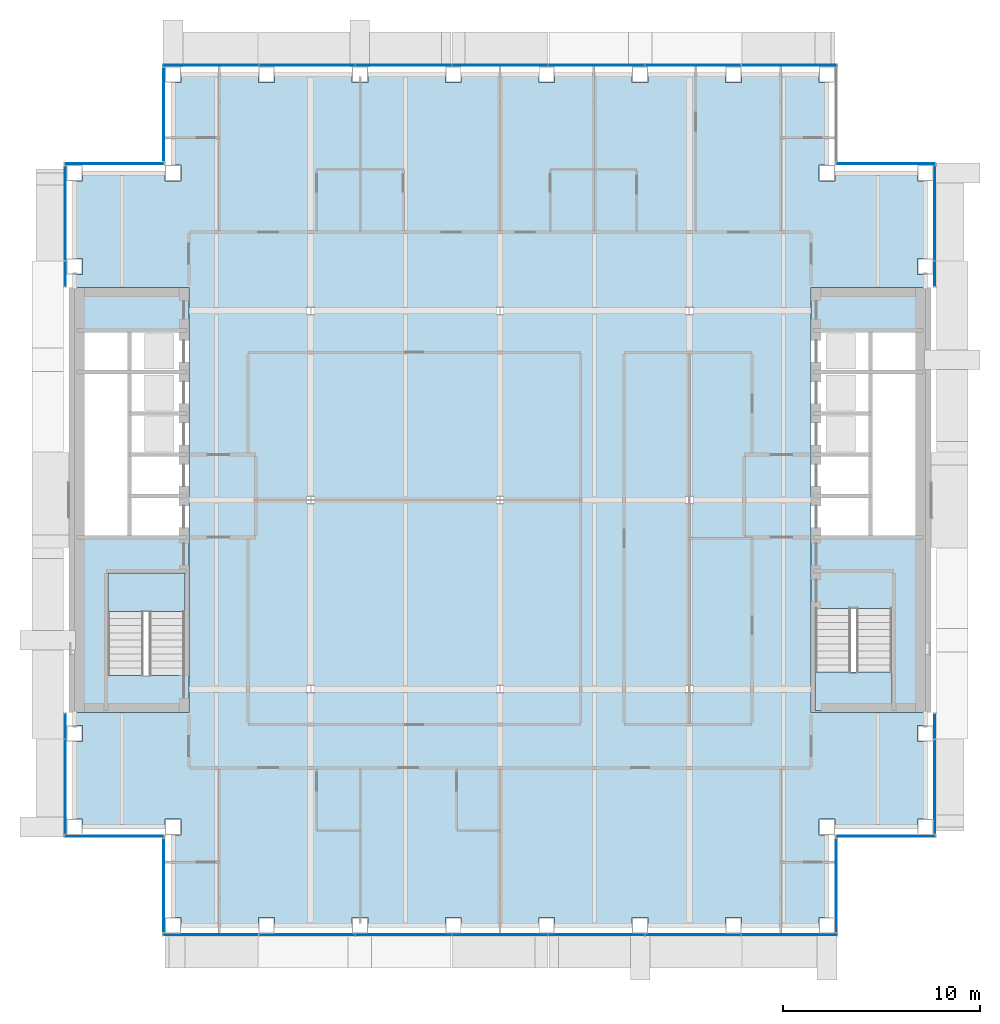
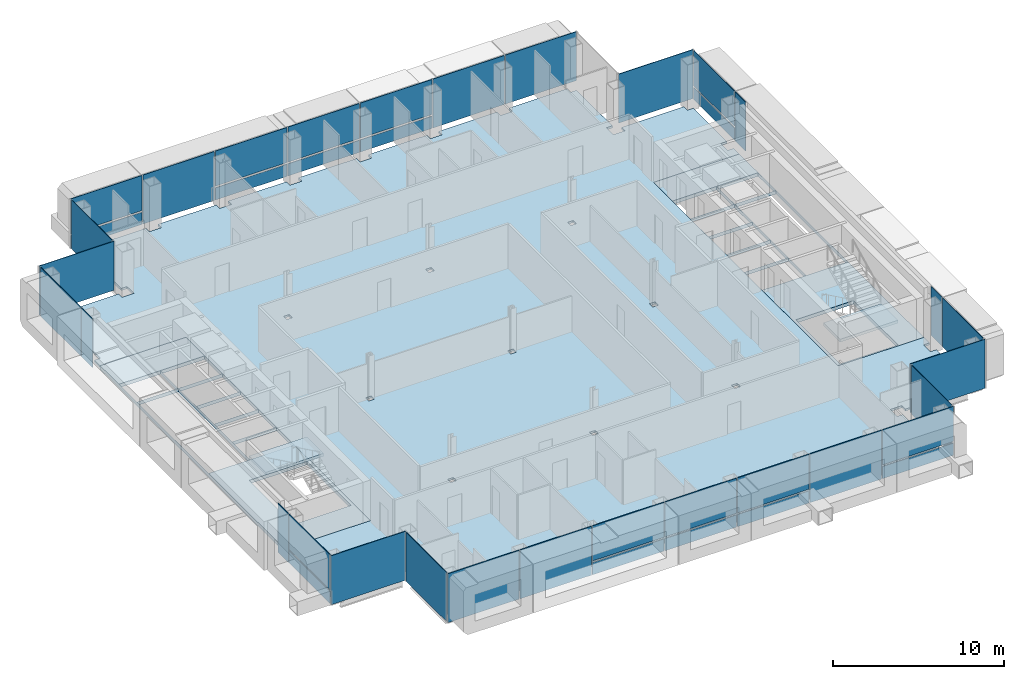
# One storey, part 11 of 21: 39 plates, 5 slabs, 15 elements without a shape of their own.
"""IFC4 building model written with IfcOpenShell, lengths in metres."""

from ifc_helpers import new_model, si_unit, direction, frame, origin, origin_2d, place, context, subcontext, project, spatial, polyline, rectangle, outline, extrude, material, layer, layer_set, type_object, element, aggregate, save


model = new_model("IFC4")

# Units and contexts
model_context = context("Model", 3, precision=1e-05, world=origin(), true_north=direction((0.0, 1.0)))
body_context = subcontext(model_context, "Body", "Model", "MODEL_VIEW")
ifc_project = project(units=[si_unit("LENGTHUNIT", "METRE"), si_unit("AREAUNIT", "SQUARE_METRE"), si_unit("VOLUMEUNIT", "CUBIC_METRE"), si_unit("PLANEANGLEUNIT", "RADIAN"), si_unit("MASSUNIT", "GRAM", prefix="KILO")], contexts=[model_context])

# Site, building, storey
site_placement = place(None, origin())
site = spatial("IfcSite", under=ifc_project, at=site_placement, CompositionType="ELEMENT")
building_placement = place(site_placement, origin())
building = spatial("IfcBuilding", under=site, at=building_placement, Name="Cobrizo Arcos Hotel Tower", CompositionType="ELEMENT")
storey_placement = place(building_placement, frame((0.0, 0.0, 183.0)))
storey = spatial("IfcBuildingStorey", under=building, at=storey_placement, Name="L47", CompositionType="ELEMENT", Elevation=183.0)

# Curtain wall, plates
ifc_material_1 = material(Name="Aluminium 6063-T6 anodised bronze", Category="aluminium")
curtain_wall_type = type_object("IfcCurtainWallType", Name="CW-A guest facade", PredefinedType="NOTDEFINED", material=ifc_material_1)
curtain_wall_1_placement = place(storey_placement, origin())
curtain_wall_1 = element("IfcCurtainWall", 1, at=curtain_wall_1_placement, inside=storey, type_object=curtain_wall_type, Name="CW-A L47 S face", PredefinedType="NOTDEFINED")
ifc_material_2 = material(Name="Aluminium composite panel pale metal", Category="aluminium")
ifc_layer_1 = layer(ifc_material_2, 0.0400390625)
ifc_layer_set_1 = layer_set([ifc_layer_1], Name="CW-A spandrel panel")
plate_type = type_object("IfcPlateType", Name="CW-A spandrel panel", PredefinedType="CURTAIN_PANEL", material=ifc_layer_set_1)
plate_1_placement = place(storey_placement, frame((-14.68505859375, -22.074951171875, 0.0), z_axis=(0.0, 0.0, 1.0), x_axis=(1.0, 0.0, 0.0)))
plate_1 = element("IfcPlate", 2, at=plate_1_placement, type_object=plate_type, Name="CW-A spandrel panel 1636", PredefinedType="CURTAIN_PANEL", context=body_context, shape_type="SweptSolid", body=[
    extrude(rectangle(XDim=4.81005859375, YDim=0.0400390625, at=origin_2d()), origin(), (0.0, 0.0, 1.0), 3.5),
])
plate_2_placement = place(storey_placement, frame((-9.800048828125, -22.074951171875, 0.0), z_axis=(0.0, 0.0, 1.0), x_axis=(1.0, 0.0, 0.0)))
plate_2 = element("IfcPlate", 3, at=plate_2_placement, type_object=plate_type, Name="CW-A spandrel panel 1637", PredefinedType="CURTAIN_PANEL", context=body_context, shape_type="SweptSolid", body=[
    extrude(rectangle(XDim=4.840087890625, YDim=0.0400390625, at=origin_2d()), origin(), (0.0, 0.0, 1.0), 3.5),
])
plate_3_placement = place(storey_placement, frame((-4.89990234375, -22.074951171875, 0.0), z_axis=(0.0, 0.0, 1.0), x_axis=(1.0, 0.0, 0.0)))
plate_3 = element("IfcPlate", 4, at=plate_3_placement, type_object=plate_type, Name="CW-A spandrel panel 1638", PredefinedType="CURTAIN_PANEL", context=body_context, shape_type="SweptSolid", body=[
    extrude(rectangle(XDim=4.840087890625, YDim=0.0400390625, at=origin_2d()), origin(), (0.0, 0.0, 1.0), 0.8701171875),
])
plate_4_placement = place(storey_placement, frame((-4.89990234375, -22.074951171875, 0.990234375), z_axis=(0.0, 0.0, 1.0), x_axis=(1.0, 0.0, 0.0)))
plate_4 = element("IfcPlate", 5, at=plate_4_placement, type_object=plate_type, Name="CW-A spandrel panel 1638", PredefinedType="CURTAIN_PANEL", context=body_context, shape_type="SweptSolid", body=[
    extrude(rectangle(XDim=4.840087890625, YDim=0.0400390625, at=origin_2d()), origin(), (0.0, 0.0, 1.0), 2.510009765625),
])
plate_5_placement = place(storey_placement, frame((0.0, -22.074951171875, 0.0), z_axis=(0.0, 0.0, 1.0), x_axis=(1.0, 0.0, 0.0)))
plate_5 = element("IfcPlate", 6, at=plate_5_placement, type_object=plate_type, Name="CW-A spandrel panel 1639", PredefinedType="CURTAIN_PANEL", context=body_context, shape_type="SweptSolid", body=[
    extrude(rectangle(XDim=4.840087890625, YDim=0.0400390625, at=origin_2d()), origin(), (0.0, 0.0, 1.0), 0.8701171875),
])
plate_6_placement = place(storey_placement, frame((0.0, -22.074951171875, 0.990234375), z_axis=(0.0, 0.0, 1.0), x_axis=(1.0, 0.0, 0.0)))
plate_6 = element("IfcPlate", 7, at=plate_6_placement, type_object=plate_type, Name="CW-A spandrel panel 1639", PredefinedType="CURTAIN_PANEL", context=body_context, shape_type="SweptSolid", body=[
    extrude(rectangle(XDim=4.840087890625, YDim=0.0400390625, at=origin_2d()), origin(), (0.0, 0.0, 1.0), 2.510009765625),
])
plate_7_placement = place(storey_placement, frame((4.89990234375, -22.074951171875, 0.0), z_axis=(0.0, 0.0, 1.0), x_axis=(1.0, 0.0, 0.0)))
plate_7 = element("IfcPlate", 8, at=plate_7_placement, type_object=plate_type, Name="CW-A spandrel panel 1640", PredefinedType="CURTAIN_PANEL", context=body_context, shape_type="SweptSolid", body=[
    extrude(rectangle(XDim=4.840087890625, YDim=0.0400390625, at=origin_2d()), origin(), (0.0, 0.0, 1.0), 0.8701171875),
])
plate_8_placement = place(storey_placement, frame((4.89990234375, -22.074951171875, 0.990234375), z_axis=(0.0, 0.0, 1.0), x_axis=(1.0, 0.0, 0.0)))
plate_8 = element("IfcPlate", 9, at=plate_8_placement, type_object=plate_type, Name="CW-A spandrel panel 1640", PredefinedType="CURTAIN_PANEL", context=body_context, shape_type="SweptSolid", body=[
    extrude(rectangle(XDim=4.840087890625, YDim=0.0400390625, at=origin_2d()), origin(), (0.0, 0.0, 1.0), 2.510009765625),
])
plate_9_placement = place(storey_placement, frame((9.800048828125, -22.074951171875, 0.0), z_axis=(0.0, 0.0, 1.0), x_axis=(1.0, 0.0, 0.0)))
plate_9 = element("IfcPlate", 10, at=plate_9_placement, type_object=plate_type, Name="CW-A spandrel panel 1641", PredefinedType="CURTAIN_PANEL", context=body_context, shape_type="SweptSolid", body=[
    extrude(rectangle(XDim=4.840087890625, YDim=0.0400390625, at=origin_2d()), origin(), (0.0, 0.0, 1.0), 3.5),
])
plate_10_placement = place(storey_placement, frame((14.68505859375, -22.074951171875, 0.0), z_axis=(0.0, 0.0, 1.0), x_axis=(1.0, 0.0, 0.0)))
plate_10 = element("IfcPlate", 11, at=plate_10_placement, type_object=plate_type, Name="CW-A spandrel panel 1642", PredefinedType="CURTAIN_PANEL", context=body_context, shape_type="SweptSolid", body=[
    extrude(rectangle(XDim=4.81005859375, YDim=0.0400390625, at=origin_2d()), origin(), (0.0, 0.0, 1.0), 0.8701171875),
])
plate_11_placement = place(storey_placement, frame((14.68505859375, -22.074951171875, 0.990234375), z_axis=(0.0, 0.0, 1.0), x_axis=(1.0, 0.0, 0.0)))
plate_11 = element("IfcPlate", 12, at=plate_11_placement, type_object=plate_type, Name="CW-A spandrel panel 1642", PredefinedType="CURTAIN_PANEL", context=body_context, shape_type="SweptSolid", body=[
    extrude(rectangle(XDim=4.81005859375, YDim=0.0400390625, at=origin_2d()), origin(), (0.0, 0.0, 1.0), 2.510009765625),
])
aggregate(curtain_wall_1, [plate_1, plate_2, plate_3, plate_4, plate_5, plate_6, plate_7, plate_8, plate_9, plate_10, plate_11])

# Curtain wall, plate
curtain_wall_2_placement = place(storey_placement, origin())
curtain_wall_2 = element("IfcCurtainWall", 13, at=curtain_wall_2_placement, inside=storey, type_object=curtain_wall_type, Name="CW-A L47 E face", PredefinedType="NOTDEFINED")
plate_12_placement = place(storey_placement, frame((17.074951171875, -19.574951171875, 0.0), z_axis=(0.0, 0.0, 1.0), x_axis=(0.0, 1.0, 0.0)))
plate_12 = element("IfcPlate", 14, at=plate_12_placement, type_object=plate_type, Name="CW-A spandrel panel 1643", PredefinedType="CURTAIN_PANEL", context=body_context, shape_type="SweptSolid", body=[
    extrude(rectangle(XDim=4.72998046875, YDim=0.0400390625, at=origin_2d()), origin(), (0.0, 0.0, 1.0), 3.5),
])
aggregate(curtain_wall_2, [plate_12])

curtain_wall_3_placement = place(storey_placement, origin())
curtain_wall_3 = element("IfcCurtainWall", 15, at=curtain_wall_3_placement, inside=storey, type_object=curtain_wall_type, Name="CW-A L47 S face", PredefinedType="NOTDEFINED")
plate_13_placement = place(storey_placement, frame((19.574951171875, -17.074951171875, 0.0), z_axis=(0.0, 0.0, 1.0), x_axis=(1.0, 0.0, 0.0)))
plate_13 = element("IfcPlate", 16, at=plate_13_placement, type_object=plate_type, Name="CW-A spandrel panel 1644", PredefinedType="CURTAIN_PANEL", context=body_context, shape_type="SweptSolid", body=[
    extrude(rectangle(XDim=5.030029296875, YDim=0.0400390625, at=origin_2d()), origin(), (0.0, 0.0, 1.0), 3.5),
])
aggregate(curtain_wall_3, [plate_13])

# Curtain wall, plates
curtain_wall_4_placement = place(storey_placement, origin())
curtain_wall_4 = element("IfcCurtainWall", 17, at=curtain_wall_4_placement, inside=storey, type_object=curtain_wall_type, Name="CW-A L47 E face", PredefinedType="NOTDEFINED")
plate_14_placement = place(storey_placement, frame((22.074951171875, -14.556396484375, 0.0), z_axis=(0.0, 0.0, 1.0), x_axis=(0.0, 1.0, 0.0)))
plate_14 = element("IfcPlate", 18, at=plate_14_placement, type_object=plate_type, Name="CW-A spandrel panel 1645", PredefinedType="CURTAIN_PANEL", context=body_context, shape_type="SweptSolid", body=[
    extrude(rectangle(XDim=4.76708984375, YDim=0.0400390625, at=origin_2d()), origin(), (0.0, 0.0, 1.0), 3.5),
])
plate_15_placement = place(storey_placement, frame((22.074951171875, -11.486328125, 0.0), z_axis=(0.0, 0.0, 1.0), x_axis=(0.0, 1.0, 0.0)))
plate_15 = element("IfcPlate", 19, at=plate_15_placement, type_object=plate_type, Name="CW-A spandrel panel 1646", PredefinedType="CURTAIN_PANEL", context=body_context, shape_type="SweptSolid", body=[
    extrude(rectangle(XDim=1.2529296875, YDim=0.0400390625, at=origin_2d()), origin(), (0.0, 0.0, 1.0), 3.5),
])
aggregate(curtain_wall_4, [plate_14, plate_15])

curtain_wall_5_placement = place(storey_placement, origin())
curtain_wall_5 = element("IfcCurtainWall", 20, at=curtain_wall_5_placement, inside=storey, type_object=curtain_wall_type, Name="CW-A L47 E face", PredefinedType="NOTDEFINED")
plate_16_placement = place(storey_placement, frame((22.074951171875, 11.486328125, 0.0), z_axis=(0.0, 0.0, 1.0), x_axis=(0.0, 1.0, 0.0)))
plate_16 = element("IfcPlate", 21, at=plate_16_placement, type_object=plate_type, Name="CW-A spandrel panel 1647", PredefinedType="CURTAIN_PANEL", context=body_context, shape_type="SweptSolid", body=[
    extrude(rectangle(XDim=1.2529296875, YDim=0.0400390625, at=origin_2d()), origin(), (0.0, 0.0, 1.0), 3.5),
])
plate_17_placement = place(storey_placement, frame((22.074951171875, 14.556396484375, 0.0), z_axis=(0.0, 0.0, 1.0), x_axis=(0.0, 1.0, 0.0)))
plate_17 = element("IfcPlate", 22, at=plate_17_placement, type_object=plate_type, Name="CW-A spandrel panel 1648", PredefinedType="CURTAIN_PANEL", context=body_context, shape_type="SweptSolid", body=[
    extrude(rectangle(XDim=4.76708984375, YDim=0.0400390625, at=origin_2d()), origin(), (0.0, 0.0, 1.0), 0.8701171875),
])
plate_18_placement = place(storey_placement, frame((22.074951171875, 14.556396484375, 0.990234375), z_axis=(0.0, 0.0, 1.0), x_axis=(0.0, 1.0, 0.0)))
plate_18 = element("IfcPlate", 23, at=plate_18_placement, type_object=plate_type, Name="CW-A spandrel panel 1648", PredefinedType="CURTAIN_PANEL", context=body_context, shape_type="SweptSolid", body=[
    extrude(rectangle(XDim=4.76708984375, YDim=0.0400390625, at=origin_2d()), origin(), (0.0, 0.0, 1.0), 2.510009765625),
])
aggregate(curtain_wall_5, [plate_16, plate_17, plate_18])

# Curtain wall, plate
curtain_wall_6_placement = place(storey_placement, origin())
curtain_wall_6 = element("IfcCurtainWall", 24, at=curtain_wall_6_placement, inside=storey, type_object=curtain_wall_type, Name="CW-A L47 N face", PredefinedType="NOTDEFINED")
plate_19_placement = place(storey_placement, frame((19.574951171875, 17.074951171875, 0.0), z_axis=(0.0, 0.0, 1.0), x_axis=(-1.0, 0.0, 0.0)))
plate_19 = element("IfcPlate", 25, at=plate_19_placement, type_object=plate_type, Name="CW-A spandrel panel 1649", PredefinedType="CURTAIN_PANEL", context=body_context, shape_type="SweptSolid", body=[
    extrude(rectangle(XDim=5.030029296875, YDim=0.0400390625, at=origin_2d()), origin(), (0.0, 0.0, 1.0), 3.5),
])
aggregate(curtain_wall_6, [plate_19])

# Curtain wall, plates
curtain_wall_7_placement = place(storey_placement, origin())
curtain_wall_7 = element("IfcCurtainWall", 26, at=curtain_wall_7_placement, inside=storey, type_object=curtain_wall_type, Name="CW-A L47 N face", PredefinedType="NOTDEFINED")
plate_20_placement = place(storey_placement, frame((14.68505859375, 22.074951171875, 0.0), z_axis=(0.0, 0.0, 1.0), x_axis=(-1.0, 0.0, 0.0)))
plate_20 = element("IfcPlate", 27, at=plate_20_placement, type_object=plate_type, Name="CW-A spandrel panel 1651", PredefinedType="CURTAIN_PANEL", context=body_context, shape_type="SweptSolid", body=[
    extrude(rectangle(XDim=4.81005859375, YDim=0.0400390625, at=origin_2d()), origin(), (0.0, 0.0, 1.0), 3.5),
])
plate_21_placement = place(storey_placement, frame((9.800048828125, 22.074951171875, 0.0), z_axis=(0.0, 0.0, 1.0), x_axis=(-1.0, 0.0, 0.0)))
plate_21 = element("IfcPlate", 28, at=plate_21_placement, type_object=plate_type, Name="CW-A spandrel panel 1652", PredefinedType="CURTAIN_PANEL", context=body_context, shape_type="SweptSolid", body=[
    extrude(rectangle(XDim=4.840087890625, YDim=0.0400390625, at=origin_2d()), origin(), (0.0, 0.0, 1.0), 3.5),
])
plate_22_placement = place(storey_placement, frame((4.89990234375, 22.074951171875, 0.0), z_axis=(0.0, 0.0, 1.0), x_axis=(-1.0, 0.0, 0.0)))
plate_22 = element("IfcPlate", 29, at=plate_22_placement, type_object=plate_type, Name="CW-A spandrel panel 1653", PredefinedType="CURTAIN_PANEL", context=body_context, shape_type="SweptSolid", body=[
    extrude(rectangle(XDim=4.840087890625, YDim=0.0400390625, at=origin_2d()), origin(), (0.0, 0.0, 1.0), 0.8701171875),
])
plate_23_placement = place(storey_placement, frame((4.89990234375, 22.074951171875, 0.990234375), z_axis=(0.0, 0.0, 1.0), x_axis=(-1.0, 0.0, 0.0)))
plate_23 = element("IfcPlate", 30, at=plate_23_placement, type_object=plate_type, Name="CW-A spandrel panel 1653", PredefinedType="CURTAIN_PANEL", context=body_context, shape_type="SweptSolid", body=[
    extrude(rectangle(XDim=4.840087890625, YDim=0.0400390625, at=origin_2d()), origin(), (0.0, 0.0, 1.0), 2.510009765625),
])
plate_24_placement = place(storey_placement, frame((0.0, 22.074951171875, 0.0), z_axis=(0.0, 0.0, 1.0), x_axis=(-1.0, 0.0, 0.0)))
plate_24 = element("IfcPlate", 31, at=plate_24_placement, type_object=plate_type, Name="CW-A spandrel panel 1654", PredefinedType="CURTAIN_PANEL", context=body_context, shape_type="SweptSolid", body=[
    extrude(rectangle(XDim=4.840087890625, YDim=0.0400390625, at=origin_2d()), origin(), (0.0, 0.0, 1.0), 0.8701171875),
])
plate_25_placement = place(storey_placement, frame((0.0, 22.074951171875, 0.990234375), z_axis=(0.0, 0.0, 1.0), x_axis=(-1.0, 0.0, 0.0)))
plate_25 = element("IfcPlate", 32, at=plate_25_placement, type_object=plate_type, Name="CW-A spandrel panel 1654", PredefinedType="CURTAIN_PANEL", context=body_context, shape_type="SweptSolid", body=[
    extrude(rectangle(XDim=4.840087890625, YDim=0.0400390625, at=origin_2d()), origin(), (0.0, 0.0, 1.0), 2.510009765625),
])
plate_26_placement = place(storey_placement, frame((-4.89990234375, 22.074951171875, 0.0), z_axis=(0.0, 0.0, 1.0), x_axis=(-1.0, 0.0, 0.0)))
plate_26 = element("IfcPlate", 33, at=plate_26_placement, type_object=plate_type, Name="CW-A spandrel panel 1655", PredefinedType="CURTAIN_PANEL", context=body_context, shape_type="SweptSolid", body=[
    extrude(rectangle(XDim=4.840087890625, YDim=0.0400390625, at=origin_2d()), origin(), (0.0, 0.0, 1.0), 0.8701171875),
])
plate_27_placement = place(storey_placement, frame((-4.89990234375, 22.074951171875, 0.990234375), z_axis=(0.0, 0.0, 1.0), x_axis=(-1.0, 0.0, 0.0)))
plate_27 = element("IfcPlate", 34, at=plate_27_placement, type_object=plate_type, Name="CW-A spandrel panel 1655", PredefinedType="CURTAIN_PANEL", context=body_context, shape_type="SweptSolid", body=[
    extrude(rectangle(XDim=4.840087890625, YDim=0.0400390625, at=origin_2d()), origin(), (0.0, 0.0, 1.0), 2.510009765625),
])
plate_28_placement = place(storey_placement, frame((-9.800048828125, 22.074951171875, 0.0), z_axis=(0.0, 0.0, 1.0), x_axis=(-1.0, 0.0, 0.0)))
plate_28 = element("IfcPlate", 35, at=plate_28_placement, type_object=plate_type, Name="CW-A spandrel panel 1656", PredefinedType="CURTAIN_PANEL", context=body_context, shape_type="SweptSolid", body=[
    extrude(rectangle(XDim=4.840087890625, YDim=0.0400390625, at=origin_2d()), origin(), (0.0, 0.0, 1.0), 3.5),
])
plate_29_placement = place(storey_placement, frame((-14.68505859375, 22.074951171875, 0.0), z_axis=(0.0, 0.0, 1.0), x_axis=(-1.0, 0.0, 0.0)))
plate_29 = element("IfcPlate", 36, at=plate_29_placement, type_object=plate_type, Name="CW-A spandrel panel 1657", PredefinedType="CURTAIN_PANEL", context=body_context, shape_type="SweptSolid", body=[
    extrude(rectangle(XDim=4.81005859375, YDim=0.0400390625, at=origin_2d()), origin(), (0.0, 0.0, 1.0), 0.8701171875),
])
plate_30_placement = place(storey_placement, frame((-14.68505859375, 22.074951171875, 0.990234375), z_axis=(0.0, 0.0, 1.0), x_axis=(-1.0, 0.0, 0.0)))
plate_30 = element("IfcPlate", 37, at=plate_30_placement, type_object=plate_type, Name="CW-A spandrel panel 1657", PredefinedType="CURTAIN_PANEL", context=body_context, shape_type="SweptSolid", body=[
    extrude(rectangle(XDim=4.81005859375, YDim=0.0400390625, at=origin_2d()), origin(), (0.0, 0.0, 1.0), 2.510009765625),
])
aggregate(curtain_wall_7, [plate_20, plate_21, plate_22, plate_23, plate_24, plate_25, plate_26, plate_27, plate_28, plate_29, plate_30])

# Curtain wall, plate
curtain_wall_8_placement = place(storey_placement, origin())
curtain_wall_8 = element("IfcCurtainWall", 38, at=curtain_wall_8_placement, inside=storey, type_object=curtain_wall_type, Name="CW-A L47 W face", PredefinedType="NOTDEFINED")
plate_31_placement = place(storey_placement, frame((-17.074951171875, 19.574951171875, 0.0), z_axis=(0.0, 0.0, 1.0), x_axis=(0.0, -1.0, 0.0)))
plate_31 = element("IfcPlate", 39, at=plate_31_placement, type_object=plate_type, Name="CW-A spandrel panel 1658", PredefinedType="CURTAIN_PANEL", context=body_context, shape_type="SweptSolid", body=[
    extrude(rectangle(XDim=4.72998046875, YDim=0.0400390625, at=origin_2d()), origin(), (0.0, 0.0, 1.0), 3.5),
])
aggregate(curtain_wall_8, [plate_31])

curtain_wall_9_placement = place(storey_placement, origin())
curtain_wall_9 = element("IfcCurtainWall", 40, at=curtain_wall_9_placement, inside=storey, type_object=curtain_wall_type, Name="CW-A L47 N face", PredefinedType="NOTDEFINED")
plate_32_placement = place(storey_placement, frame((-19.574951171875, 17.074951171875, 0.0), z_axis=(0.0, 0.0, 1.0), x_axis=(-1.0, 0.0, 0.0)))
plate_32 = element("IfcPlate", 41, at=plate_32_placement, type_object=plate_type, Name="CW-A spandrel panel 1659", PredefinedType="CURTAIN_PANEL", context=body_context, shape_type="SweptSolid", body=[
    extrude(rectangle(XDim=5.030029296875, YDim=0.0400390625, at=origin_2d()), origin(), (0.0, 0.0, 1.0), 3.5),
])
aggregate(curtain_wall_9, [plate_32])

# Curtain wall, plates
curtain_wall_10_placement = place(storey_placement, origin())
curtain_wall_10 = element("IfcCurtainWall", 42, at=curtain_wall_10_placement, inside=storey, type_object=curtain_wall_type, Name="CW-A L47 W face", PredefinedType="NOTDEFINED")
plate_33_placement = place(storey_placement, frame((-22.074951171875, 14.556396484375, 0.0), z_axis=(0.0, 0.0, 1.0), x_axis=(0.0, -1.0, 0.0)))
plate_33 = element("IfcPlate", 43, at=plate_33_placement, type_object=plate_type, Name="CW-A spandrel panel 1660", PredefinedType="CURTAIN_PANEL", context=body_context, shape_type="SweptSolid", body=[
    extrude(rectangle(XDim=4.76708984375, YDim=0.0400390625, at=origin_2d()), origin(), (0.0, 0.0, 1.0), 3.5),
])
plate_34_placement = place(storey_placement, frame((-22.074951171875, 11.486328125, 0.0), z_axis=(0.0, 0.0, 1.0), x_axis=(0.0, -1.0, 0.0)))
plate_34 = element("IfcPlate", 44, at=plate_34_placement, type_object=plate_type, Name="CW-A spandrel panel 1661", PredefinedType="CURTAIN_PANEL", context=body_context, shape_type="SweptSolid", body=[
    extrude(rectangle(XDim=1.2529296875, YDim=0.0400390625, at=origin_2d()), origin(), (0.0, 0.0, 1.0), 3.5),
])
aggregate(curtain_wall_10, [plate_33, plate_34])

curtain_wall_11_placement = place(storey_placement, origin())
curtain_wall_11 = element("IfcCurtainWall", 45, at=curtain_wall_11_placement, inside=storey, type_object=curtain_wall_type, Name="CW-A L47 W face", PredefinedType="NOTDEFINED")
plate_35_placement = place(storey_placement, frame((-22.074951171875, -11.486328125, 0.0), z_axis=(0.0, 0.0, 1.0), x_axis=(0.0, -1.0, 0.0)))
plate_35 = element("IfcPlate", 46, at=plate_35_placement, type_object=plate_type, Name="CW-A spandrel panel 1662", PredefinedType="CURTAIN_PANEL", context=body_context, shape_type="SweptSolid", body=[
    extrude(rectangle(XDim=1.2529296875, YDim=0.0400390625, at=origin_2d()), origin(), (0.0, 0.0, 1.0), 3.5),
])
plate_36_placement = place(storey_placement, frame((-22.074951171875, -14.556396484375, 0.0), z_axis=(0.0, 0.0, 1.0), x_axis=(0.0, -1.0, 0.0)))
plate_36 = element("IfcPlate", 47, at=plate_36_placement, type_object=plate_type, Name="CW-A spandrel panel 1663", PredefinedType="CURTAIN_PANEL", context=body_context, shape_type="SweptSolid", body=[
    extrude(rectangle(XDim=4.76708984375, YDim=0.0400390625, at=origin_2d()), origin(), (0.0, 0.0, 1.0), 0.8701171875),
])
plate_37_placement = place(storey_placement, frame((-22.074951171875, -14.556396484375, 0.990234375), z_axis=(0.0, 0.0, 1.0), x_axis=(0.0, -1.0, 0.0)))
plate_37 = element("IfcPlate", 48, at=plate_37_placement, type_object=plate_type, Name="CW-A spandrel panel 1663", PredefinedType="CURTAIN_PANEL", context=body_context, shape_type="SweptSolid", body=[
    extrude(rectangle(XDim=4.76708984375, YDim=0.0400390625, at=origin_2d()), origin(), (0.0, 0.0, 1.0), 2.510009765625),
])
aggregate(curtain_wall_11, [plate_35, plate_36, plate_37])

# Curtain wall, plate
curtain_wall_12_placement = place(storey_placement, origin())
curtain_wall_12 = element("IfcCurtainWall", 49, at=curtain_wall_12_placement, inside=storey, type_object=curtain_wall_type, Name="CW-A L47 S face", PredefinedType="NOTDEFINED")
plate_38_placement = place(storey_placement, frame((-19.574951171875, -17.074951171875, 0.0), z_axis=(0.0, 0.0, 1.0), x_axis=(1.0, 0.0, 0.0)))
plate_38 = element("IfcPlate", 50, at=plate_38_placement, type_object=plate_type, Name="CW-A spandrel panel 1664", PredefinedType="CURTAIN_PANEL", context=body_context, shape_type="SweptSolid", body=[
    extrude(rectangle(XDim=5.030029296875, YDim=0.0400390625, at=origin_2d()), origin(), (0.0, 0.0, 1.0), 3.5),
])
aggregate(curtain_wall_12, [plate_38])

curtain_wall_13_placement = place(storey_placement, origin())
curtain_wall_13 = element("IfcCurtainWall", 51, at=curtain_wall_13_placement, inside=storey, type_object=curtain_wall_type, Name="CW-A L47 W face", PredefinedType="NOTDEFINED")
plate_39_placement = place(storey_placement, frame((-17.074951171875, -19.574951171875, 0.0), z_axis=(0.0, 0.0, 1.0), x_axis=(0.0, -1.0, 0.0)))
plate_39 = element("IfcPlate", 52, at=plate_39_placement, type_object=plate_type, Name="CW-A spandrel panel 1665", PredefinedType="CURTAIN_PANEL", context=body_context, shape_type="SweptSolid", body=[
    extrude(rectangle(XDim=4.72998046875, YDim=0.0400390625, at=origin_2d()), origin(), (0.0, 0.0, 1.0), 3.5),
])
aggregate(curtain_wall_13, [plate_39])

# Slabs
ifc_material_3 = material(Name="Concrete f'c 35 MPa", Category="concrete")
ifc_layer_2 = layer(ifc_material_3, 0.14990234375)
ifc_layer_set_2 = layer_set([ifc_layer_2], Name="Composite floor slab 150 f'c 35")
slab_type_1 = type_object("IfcSlabType", Name="Composite floor slab 150 f'c 35", PredefinedType="FLOOR", material=ifc_layer_set_2)
slab_1_placement = place(storey_placement, frame((0.0, 0.0, -0.14990234375)))
element("IfcSlab", 53, at=slab_1_placement, inside=storey, type_object=slab_type_1, Name="Floor slab S5, L47, no. 01", PredefinedType="FLOOR", context=body_context, shape_type="SweptSolid", body=[
    extrude(outline(polyline([(-16.199951171875, -21.60009765625), (-16.199951171875, -21.199951171875), (-16.60009765625, -21.199951171875), (-16.60009765625, -17.0), (-16.199951171875, -17.0), (-16.199951171875, -16.199951171875), (-17.0, -16.199951171875), (-17.0, -16.60009765625), (-21.199951171875, -16.60009765625), (-21.199951171875, -16.199951171875), (-21.60009765625, -16.199951171875), (-21.60009765625, -12.257080078125), (-21.199951171875, -12.257080078125), (-21.199951171875, -11.45703125), (-21.60009765625, -11.45703125), (-21.60009765625, -10.800048828125), (-15.800048828125, -10.800048828125), (-15.800048828125, 10.800048828125), (-21.60009765625, 10.800048828125), (-21.60009765625, 11.45703125), (-21.199951171875, 11.45703125), (-21.199951171875, 12.257080078125), (-21.60009765625, 12.257080078125), (-21.60009765625, 16.199951171875), (-21.199951171875, 16.199951171875), (-21.199951171875, 16.60009765625), (-17.0, 16.60009765625), (-17.0, 16.199951171875), (-16.199951171875, 16.199951171875), (-16.199951171875, 17.0), (-16.60009765625, 17.0), (-16.60009765625, 21.199951171875), (-16.199951171875, 21.199951171875), (-16.199951171875, 21.60009765625), (-12.257080078125, 21.60009765625), (-12.257080078125, 21.199951171875), (-11.45703125, 21.199951171875), (-11.45703125, 21.60009765625), (-7.513916015625, 21.60009765625), (-7.513916015625, 21.199951171875), (-6.714111328125, 21.199951171875), (-6.714111328125, 21.60009765625), (-2.77099609375, 21.60009765625), (-2.77099609375, 21.199951171875), (-1.970947265625, 21.199951171875), (-1.970947265625, 21.60009765625), (1.970947265625, 21.60009765625), (1.970947265625, 21.199951171875), (2.77099609375, 21.199951171875), (2.77099609375, 21.60009765625), (6.714111328125, 21.60009765625), (6.714111328125, 21.199951171875), (7.513916015625, 21.199951171875), (7.513916015625, 21.60009765625), (11.45703125, 21.60009765625), (11.45703125, 21.199951171875), (12.257080078125, 21.199951171875), (12.257080078125, 21.60009765625), (16.199951171875, 21.60009765625), (16.199951171875, 21.199951171875), (16.60009765625, 21.199951171875), (16.60009765625, 17.0), (16.199951171875, 17.0), (16.199951171875, 16.199951171875), (17.0, 16.199951171875), (17.0, 16.60009765625), (21.199951171875, 16.60009765625), (21.199951171875, 16.199951171875), (21.60009765625, 16.199951171875), (21.60009765625, 12.257080078125), (21.199951171875, 12.257080078125), (21.199951171875, 11.45703125), (21.60009765625, 11.45703125), (21.60009765625, 10.800048828125), (15.800048828125, 10.800048828125), (15.800048828125, -10.800048828125), (21.60009765625, -10.800048828125), (21.60009765625, -11.45703125), (21.199951171875, -11.45703125), (21.199951171875, -12.257080078125), (21.60009765625, -12.257080078125), (21.60009765625, -16.199951171875), (21.199951171875, -16.199951171875), (21.199951171875, -16.60009765625), (17.0, -16.60009765625), (17.0, -16.199951171875), (16.199951171875, -16.199951171875), (16.199951171875, -17.0), (16.60009765625, -17.0), (16.60009765625, -21.199951171875), (16.199951171875, -21.199951171875), (16.199951171875, -21.60009765625), (12.257080078125, -21.60009765625), (12.257080078125, -21.199951171875), (11.45703125, -21.199951171875), (11.45703125, -21.60009765625), (7.513916015625, -21.60009765625), (7.513916015625, -21.199951171875), (6.714111328125, -21.199951171875), (6.714111328125, -21.60009765625), (2.77099609375, -21.60009765625), (2.77099609375, -21.199951171875), (1.970947265625, -21.199951171875), (1.970947265625, -21.60009765625), (-1.970947265625, -21.60009765625), (-1.970947265625, -21.199951171875), (-2.77099609375, -21.199951171875), (-2.77099609375, -21.60009765625), (-6.714111328125, -21.60009765625), (-6.714111328125, -21.199951171875), (-7.513916015625, -21.199951171875), (-7.513916015625, -21.60009765625), (-11.45703125, -21.60009765625), (-11.45703125, -21.199951171875), (-12.257080078125, -21.199951171875), (-12.257080078125, -21.60009765625), (-16.199951171875, -21.60009765625)]), holes=[polyline([(-0.186767578125, -9.78662109375), (0.186767578125, -9.78662109375), (0.186767578125, -9.413330078125), (-0.186767578125, -9.413330078125), (-0.186767578125, -9.78662109375)]), polyline([(-9.78662109375, -9.78662109375), (-9.413330078125, -9.78662109375), (-9.413330078125, -9.413330078125), (-9.78662109375, -9.413330078125), (-9.78662109375, -9.78662109375)]), polyline([(-9.413330078125, -0.186767578125), (-9.413330078125, 0.186767578125), (-9.78662109375, 0.186767578125), (-9.78662109375, -0.186767578125), (-9.413330078125, -0.186767578125)]), polyline([(0.186767578125, -0.186767578125), (0.186767578125, 0.186767578125), (-0.186767578125, 0.186767578125), (-0.186767578125, -0.186767578125), (0.186767578125, -0.186767578125)]), polyline([(-9.78662109375, 9.413330078125), (-9.413330078125, 9.413330078125), (-9.413330078125, 9.78662109375), (-9.78662109375, 9.78662109375), (-9.78662109375, 9.413330078125)]), polyline([(9.413330078125, -9.78662109375), (9.78662109375, -9.78662109375), (9.78662109375, -9.413330078125), (9.413330078125, -9.413330078125), (9.413330078125, -9.78662109375)]), polyline([(9.413330078125, -0.186767578125), (9.78662109375, -0.186767578125), (9.78662109375, 0.186767578125), (9.413330078125, 0.186767578125), (9.413330078125, -0.186767578125)]), polyline([(9.78662109375, 9.413330078125), (9.78662109375, 9.78662109375), (9.413330078125, 9.78662109375), (9.413330078125, 9.413330078125), (9.78662109375, 9.413330078125)]), polyline([(0.186767578125, 9.413330078125), (0.186767578125, 9.78662109375), (-0.186767578125, 9.78662109375), (-0.186767578125, 9.413330078125), (0.186767578125, 9.413330078125)])]), origin(), (0.0, 0.0, 1.0), 0.14990234375),
])
ifc_material_4 = material(Name="Concrete f'c 50 MPa", Category="concrete")
ifc_layer_3 = layer(ifc_material_4, 0.25)
ifc_layer_set_3 = layer_set([ifc_layer_3], Name="RC core floor slab 250 f'c 50")
slab_type_2 = type_object("IfcSlabType", Name="RC core floor slab 250 f'c 50", PredefinedType="FLOOR", material=ifc_layer_set_3)
slab_2_placement = place(storey_placement, frame((0.0, 0.0, -0.25)))
element("IfcSlab", 54, at=slab_2_placement, inside=storey, type_object=slab_type_2, Name="Core floor slab CS5, east core, L47", PredefinedType="FLOOR", context=body_context, shape_type="SweptSolid", body=[
    extrude(outline(polyline([(15.800048828125, 10.800048828125), (21.60009765625, 10.800048828125), (21.60009765625, -10.800048828125), (15.800048828125, -10.800048828125), (15.800048828125, 10.800048828125)]), holes=[polyline([(19.89794921875, -10.697998046875), (19.89794921875, -5.501953125), (16.001953125, -5.501953125), (16.001953125, -10.697998046875), (19.89794921875, -10.697998046875)]), polyline([(15.802001953125, 0.197998046875), (15.802001953125, -1.89794921875), (18.798095703125, -1.89794921875), (18.798095703125, 0.197998046875), (15.802001953125, 0.197998046875)]), polyline([(18.798095703125, 2.298095703125), (15.802001953125, 2.298095703125), (15.802001953125, 0.201904296875), (18.798095703125, 0.201904296875), (18.798095703125, 2.298095703125)]), polyline([(21.597900390625, 6.498046875), (18.802001953125, 6.498046875), (18.802001953125, -1.89794921875), (21.597900390625, -1.89794921875), (21.597900390625, 6.498046875)]), polyline([(18.798095703125, 4.39794921875), (15.802001953125, 4.39794921875), (15.802001953125, 2.302001953125), (18.798095703125, 2.302001953125), (18.798095703125, 4.39794921875)]), polyline([(18.798095703125, 6.498046875), (15.802001953125, 6.498046875), (15.802001953125, 4.402099609375), (18.798095703125, 4.402099609375), (18.798095703125, 6.498046875)]), polyline([(18.798095703125, 8.597900390625), (15.802001953125, 8.597900390625), (15.802001953125, 6.501953125), (18.798095703125, 6.501953125), (18.798095703125, 8.597900390625)]), polyline([(21.597900390625, 8.597900390625), (18.802001953125, 8.597900390625), (18.802001953125, 6.501953125), (21.597900390625, 6.501953125), (21.597900390625, 8.597900390625)])]), origin(), (0.0, 0.0, 1.0), 0.25),
])
slab_3_placement = place(storey_placement, frame((0.0, 0.0, -0.25)))
element("IfcSlab", 55, at=slab_3_placement, inside=storey, type_object=slab_type_2, Name="Core floor slab CS5, west core, L47", PredefinedType="FLOOR", context=body_context, shape_type="SweptSolid", body=[
    extrude(outline(polyline([(-21.60009765625, 10.800048828125), (-15.800048828125, 10.800048828125), (-15.800048828125, -10.800048828125), (-21.60009765625, -10.800048828125), (-21.60009765625, 10.800048828125)]), holes=[polyline([(-19.89794921875, -3.701904296875), (-19.89794921875, -8.89794921875), (-16.001953125, -8.89794921875), (-16.001953125, -3.701904296875), (-19.89794921875, -3.701904296875)]), polyline([(-18.798095703125, 0.197998046875), (-18.798095703125, -1.89794921875), (-15.802001953125, -1.89794921875), (-15.802001953125, 0.197998046875), (-18.798095703125, 0.197998046875)]), polyline([(-15.802001953125, 2.298095703125), (-18.798095703125, 2.298095703125), (-18.798095703125, 0.201904296875), (-15.802001953125, 0.201904296875), (-15.802001953125, 2.298095703125)]), polyline([(-18.802001953125, 6.498046875), (-21.597900390625, 6.498046875), (-21.597900390625, -1.89794921875), (-18.802001953125, -1.89794921875), (-18.802001953125, 6.498046875)]), polyline([(-15.802001953125, 4.39794921875), (-18.798095703125, 4.39794921875), (-18.798095703125, 2.302001953125), (-15.802001953125, 2.302001953125), (-15.802001953125, 4.39794921875)]), polyline([(-15.802001953125, 6.498046875), (-18.798095703125, 6.498046875), (-18.798095703125, 4.402099609375), (-15.802001953125, 4.402099609375), (-15.802001953125, 6.498046875)]), polyline([(-18.802001953125, 8.597900390625), (-21.597900390625, 8.597900390625), (-21.597900390625, 6.501953125), (-18.802001953125, 6.501953125), (-18.802001953125, 8.597900390625)]), polyline([(-15.802001953125, 8.597900390625), (-18.798095703125, 8.597900390625), (-18.798095703125, 6.501953125), (-15.802001953125, 6.501953125), (-15.802001953125, 8.597900390625)])]), origin(), (0.0, 0.0, 1.0), 0.25),
])

# Stair, slab
ifc_material_5 = material(Name="Concrete f'c 40 MPa", Category="concrete")
stair_type = type_object("IfcStairType", Name="Exit stair", PredefinedType="HALF_TURN_STAIR", material=ifc_material_5)
stair_1_placement = place(storey_placement, origin())
stair_1 = element("IfcStair", 56, at=stair_1_placement, inside=storey, type_object=stair_type, Name="L47 Exit stair ST-W", PredefinedType="HALF_TURN_STAIR")
ifc_layer_4 = layer(ifc_material_5, 0.199951171875)
ifc_layer_set_4 = layer_set([ifc_layer_4], Name="Stair landing")
slab_type_3 = type_object("IfcSlabType", Name="Stair landing", PredefinedType="LANDING", material=ifc_layer_set_4)
slab_4_placement = place(storey_placement, frame((0.0, 0.0, 1.550048828125)))
slab_4 = element("IfcSlab", 57, at=slab_4_placement, type_object=slab_type_3, Name="ST-W landing 1", PredefinedType="LANDING", context=body_context, shape_type="SweptSolid", body=[
    extrude(outline(polyline([(-16.0, -5.659912109375), (-16.0, -3.699951171875), (-19.89990234375, -3.699951171875), (-19.89990234375, -5.659912109375), (-16.0, -5.659912109375)])), origin(), (0.0, 0.0, 1.0), 0.199951171875),
])
aggregate(stair_1, [slab_4])

stair_2_placement = place(storey_placement, origin())
stair_2 = element("IfcStair", 58, at=stair_2_placement, inside=storey, type_object=stair_type, Name="L47 Exit stair ST-E", PredefinedType="HALF_TURN_STAIR")
slab_5_placement = place(storey_placement, frame((0.0, 0.0, 1.550048828125)))
slab_5 = element("IfcSlab", 59, at=slab_5_placement, type_object=slab_type_3, Name="ST-E landing 1", PredefinedType="LANDING", context=body_context, shape_type="SweptSolid", body=[
    extrude(outline(polyline([(16.0, -8.739990234375), (16.0, -10.699951171875), (19.89990234375, -10.699951171875), (19.89990234375, -8.739990234375), (16.0, -8.739990234375)])), origin(), (0.0, 0.0, 1.0), 0.199951171875),
])
aggregate(stair_2, [slab_5])

save(model, "model.ifc")
